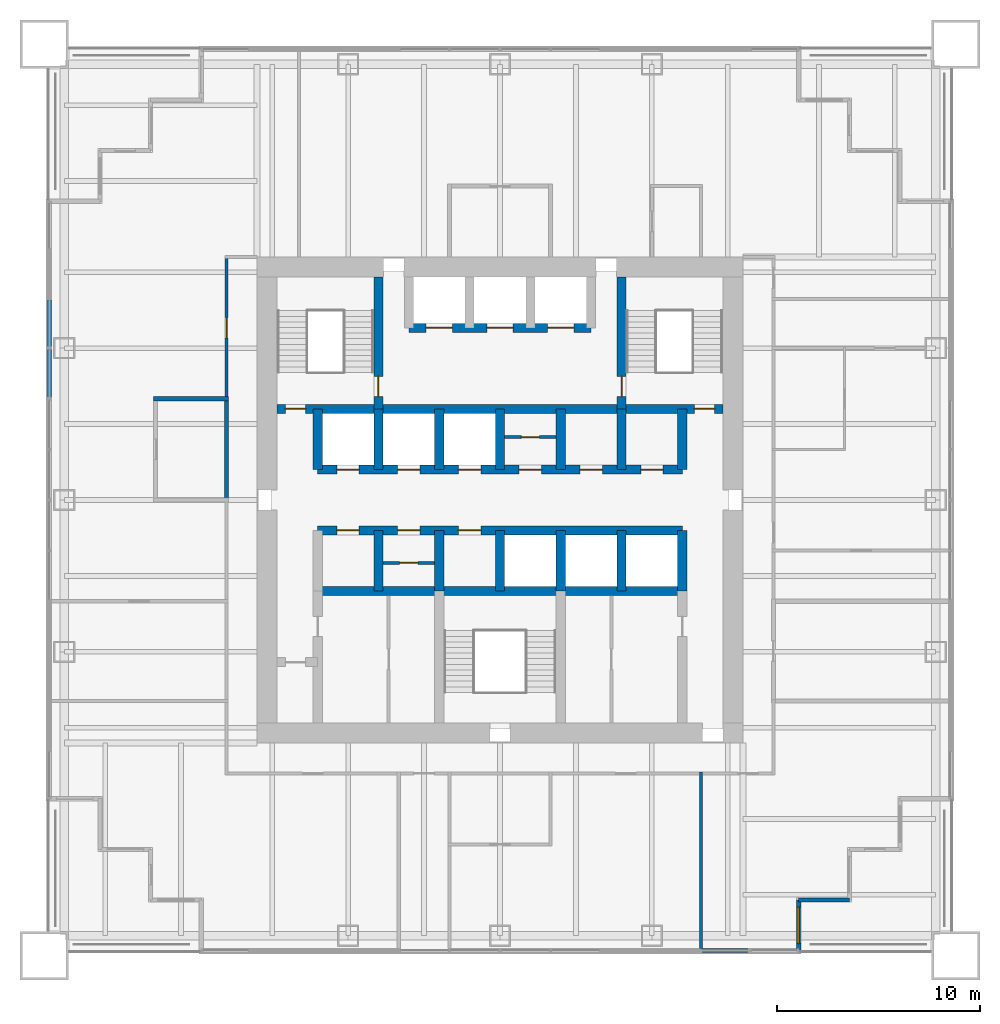
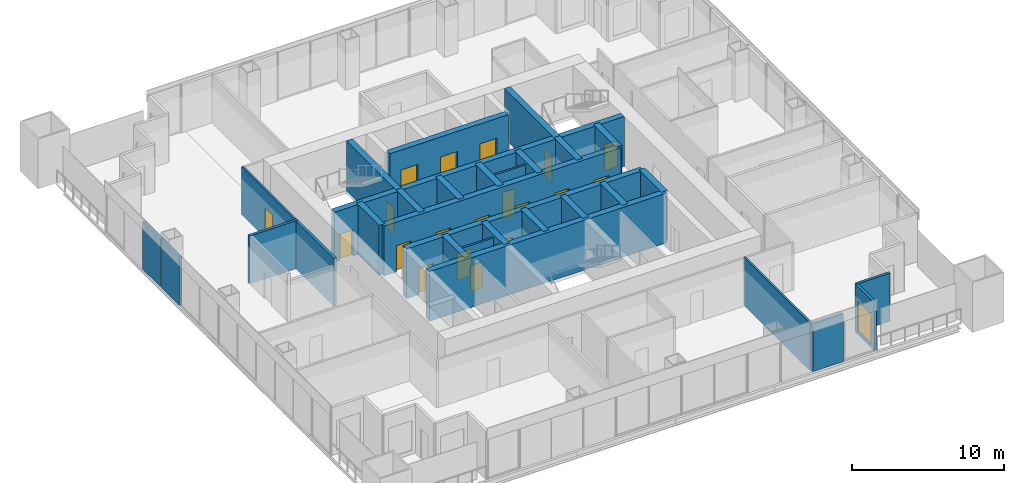
# One storey, part 9 of 13: 31 walls, 19 doors, 1 window, 20 openings.
"""IFC4 building model written with IfcOpenShell, lengths in metres."""

from ifc_helpers import new_model, si_unit, direction, frame, frame_2d, origin, place, context, subcontext, project, spatial, rectangle, extrude, material, layer, layer_set, type_object, element, fill, save


model = new_model("IFC4")

# Units and contexts
model_context = context("Model", 3, precision=1e-05, world=origin(), true_north=direction((0.0, 1.0)))
body_context = subcontext(model_context, "Body", "Model", "MODEL_VIEW")
ifc_project = project(units=[si_unit("LENGTHUNIT", "METRE"), si_unit("AREAUNIT", "SQUARE_METRE"), si_unit("VOLUMEUNIT", "CUBIC_METRE"), si_unit("PLANEANGLEUNIT", "RADIAN"), si_unit("MASSUNIT", "GRAM", prefix="KILO")], contexts=[model_context])

# Site, building, storey
site_placement = place(None, origin())
site = spatial("IfcSite", under=ifc_project, at=site_placement, CompositionType="ELEMENT")
building_placement = place(site_placement, origin())
building = spatial("IfcBuilding", under=site, at=building_placement, Name="Tarangal Relay Tower", CompositionType="ELEMENT")
storey_placement = place(building_placement, frame((0.0, 0.0, 201.89990234375)))
storey = spatial("IfcBuildingStorey", under=building, at=storey_placement, Name="L42", CompositionType="ELEMENT", Elevation=201.89990234375)

# Walls
ifc_material_1 = material(Name="Two layers gypsum board each side on twin steel studs, mineral wool", Category="steel")
ifc_layer_1 = layer(ifc_material_1, 0.199951171875)
ifc_layer_set_1 = layer_set([ifc_layer_1], Name="Acoustic partition 200")
wall_type_1 = type_object("IfcWallType", Name="Acoustic partition 200", PredefinedType="PARTITIONING", material=ifc_layer_set_1)
wall_1_placement = place(storey_placement, frame((-17.10009765625, 5.0, 0.0), z_axis=(0.0, 0.0, 1.0), x_axis=(1.0, 0.0, 0.0)))
element("IfcWall", 1, at=wall_1_placement, inside=storey, type_object=wall_type_1, Name="Partition PT2 L42", PredefinedType="PARTITIONING", context=body_context, shape_type="SweptSolid", body=[
    extrude(rectangle(XDim=3.7001953125, YDim=0.199951171875, at=frame_2d((1.85009765625, 0.0))), origin(), (0.0, 0.0, 1.0), 3.85009765625),
])
wall_2_placement = place(storey_placement, frame((-13.5, -0.10009765625, 0.0), z_axis=(0.0, 0.0, 1.0), x_axis=(0.0, 1.0, 0.0)))
element("IfcWall", 2, at=wall_2_placement, inside=storey, type_object=wall_type_1, Name="Partition PT2 L42", PredefinedType="PARTITIONING", context=body_context, shape_type="SweptSolid", body=[
    extrude(rectangle(XDim=5.2001953125, YDim=0.199951171875, at=frame_2d((2.60009765625, 0.0))), origin(), (0.0, 0.0, 1.0), 3.85009765625),
])

# Wall, openings, doors
ifc_material_2 = material(Name="Concrete fc' 60 MPa", Category="concrete")
ifc_layer_2 = layer(ifc_material_2, 0.449951171875)
ifc_layer_set_2 = layer_set([ifc_layer_2], Name="Core inner wall 450")
wall_type_2 = type_object("IfcWallType", Name="Core inner wall 450", PredefinedType="SHEAR", material=ifc_layer_set_2)
wall_3_placement = place(storey_placement, frame((-11.0, 4.5, 0.0), z_axis=(0.0, 0.0, 1.0), x_axis=(1.0, 0.0, 0.0)))
wall_3 = element("IfcWall", 3, at=wall_3_placement, inside=storey, type_object=wall_type_2, Name="Core wall Y45 L42", PredefinedType="SHEAR", context=body_context, shape_type="SweptSolid", body=[
    extrude(rectangle(XDim=22.0, YDim=0.449951171875, at=frame_2d((11.0, 0.0))), origin(), (0.0, 0.0, 1.0), 4.0),
])
opening_1_placement = place(wall_3_placement, frame((0.39990234375, 0.0, 0.0)))
opening_1 = element("IfcOpeningElement", 4, at=opening_1_placement, cuts=wall_3, Name="Opening FD1", PredefinedType="OPENING", context=body_context, shape_type="SweptSolid", body=[
    extrude(rectangle(XDim=1.0, YDim=2.10009765625, at=frame_2d((0.5, 1.050048828125))), frame((0.0, 0.23486328125, 0.0), z_axis=(0.0, -1.0, 0.0), x_axis=(1.0, 0.0, 0.0)), (0.0, 0.0, 1.0), 0.469970703125),
])
opening_2_placement = place(wall_3_placement, frame((20.60009765625, 0.0, 0.0)))
opening_2 = element("IfcOpeningElement", 5, at=opening_2_placement, cuts=wall_3, Name="Opening FD1", PredefinedType="OPENING", context=body_context, shape_type="SweptSolid", body=[
    extrude(rectangle(XDim=1.0, YDim=2.10009765625, at=frame_2d((0.5, 1.050048828125))), frame((0.0, 0.23486328125, 0.0), z_axis=(0.0, -1.0, 0.0), x_axis=(1.0, 0.0, 0.0)), (0.0, 0.0, 1.0), 0.469970703125),
])
ifc_material_3 = material(Name="Steel door with hardwood frame", Category="steel")
door_type_1 = type_object("IfcDoorType", Name="Fire door 1000 x 2100", OperationType="SINGLE_SWING_LEFT", PredefinedType="DOOR", material=ifc_material_3)
door_1_placement = place(opening_1_placement, origin())
door_1 = element("IfcDoor", 6, at=door_1_placement, inside=storey, type_object=door_type_1, Name="Stair ST-A door from corridor L42", OperationType="SINGLE_SWING_LEFT", OverallHeight=2.10009765625, OverallWidth=1.0, PredefinedType="DOOR", context=body_context, shape_type="SweptSolid", body=[
    extrude(rectangle(XDim=1.0, YDim=2.10009765625, at=frame_2d((0.5, 1.050048828125))), frame((0.0, 0.02490234375, 0.0), z_axis=(0.0, -1.0, 0.0), x_axis=(1.0, 0.0, 0.0)), (0.0, 0.0, 1.0), 0.050048828125),
])
fill(opening_1, door_1)
door_2_placement = place(opening_2_placement, origin())
door_2 = element("IfcDoor", 7, at=door_2_placement, inside=storey, type_object=door_type_1, Name="Stair ST-B door from corridor L42", OperationType="SINGLE_SWING_LEFT", OverallHeight=2.10009765625, OverallWidth=1.0, PredefinedType="DOOR", context=body_context, shape_type="SweptSolid", body=[
    extrude(rectangle(XDim=1.0, YDim=2.10009765625, at=frame_2d((0.5, 1.050048828125))), frame((0.0, 0.02490234375, 0.0), z_axis=(0.0, -1.0, 0.0), x_axis=(1.0, 0.0, 0.0)), (0.0, 0.0, 1.0), 0.050048828125),
])
fill(opening_2, door_2)

wall_4_placement = place(storey_placement, frame((-9.0, 1.5, 0.0), z_axis=(0.0, 0.0, 1.0), x_axis=(1.0, 0.0, 0.0)))
wall_4 = element("IfcWall", 8, at=wall_4_placement, inside=storey, type_object=wall_type_2, Name="Core wall Y15 L42", PredefinedType="SHEAR", context=body_context, shape_type="SweptSolid", body=[
    extrude(rectangle(XDim=18.0, YDim=0.449951171875, at=frame_2d((9.0, 0.0))), origin(), (0.0, 0.0, 1.0), 4.0),
])
opening_3_placement = place(wall_4_placement, frame((0.949951171875, 0.0, 0.0)))
opening_3 = element("IfcOpeningElement", 9, at=opening_3_placement, cuts=wall_4, Name="Opening LD1", PredefinedType="OPENING", context=body_context, shape_type="SweptSolid", body=[
    extrude(rectangle(XDim=1.10009765625, YDim=2.10009765625, at=frame_2d((0.550048828125, 1.050048828125))), frame((0.0, 0.23486328125, 0.0), z_axis=(0.0, -1.0, 0.0), x_axis=(1.0, 0.0, 0.0)), (0.0, 0.0, 1.0), 0.469970703125),
])
opening_4_placement = place(wall_4_placement, frame((3.949951171875, 0.0, 0.0)))
opening_4 = element("IfcOpeningElement", 10, at=opening_4_placement, cuts=wall_4, Name="Opening LD1", PredefinedType="OPENING", context=body_context, shape_type="SweptSolid", body=[
    extrude(rectangle(XDim=1.10009765625, YDim=2.10009765625, at=frame_2d((0.550048828125, 1.050048828125))), frame((0.0, 0.23486328125, 0.0), z_axis=(0.0, -1.0, 0.0), x_axis=(1.0, 0.0, 0.0)), (0.0, 0.0, 1.0), 0.469970703125),
])
opening_5_placement = place(wall_4_placement, frame((6.949951171875, 0.0, 0.0)))
opening_5 = element("IfcOpeningElement", 11, at=opening_5_placement, cuts=wall_4, Name="Opening LD1", PredefinedType="OPENING", context=body_context, shape_type="SweptSolid", body=[
    extrude(rectangle(XDim=1.10009765625, YDim=2.10009765625, at=frame_2d((0.550048828125, 1.050048828125))), frame((0.0, 0.23486328125, 0.0), z_axis=(0.0, -1.0, 0.0), x_axis=(1.0, 0.0, 0.0)), (0.0, 0.0, 1.0), 0.469970703125),
])
opening_6_placement = place(wall_4_placement, frame((9.949951171875, 0.0, 0.0)))
opening_6 = element("IfcOpeningElement", 12, at=opening_6_placement, cuts=wall_4, Name="Opening D4", PredefinedType="OPENING", context=body_context, shape_type="SweptSolid", body=[
    extrude(rectangle(XDim=1.10009765625, YDim=2.10009765625, at=frame_2d((0.550048828125, 1.050048828125))), frame((0.0, 0.23486328125, 0.0), z_axis=(0.0, -1.0, 0.0), x_axis=(1.0, 0.0, 0.0)), (0.0, 0.0, 1.0), 0.469970703125),
])
opening_7_placement = place(wall_4_placement, frame((12.949951171875, 0.0, 0.0)))
opening_7 = element("IfcOpeningElement", 13, at=opening_7_placement, cuts=wall_4, Name="Opening D4", PredefinedType="OPENING", context=body_context, shape_type="SweptSolid", body=[
    extrude(rectangle(XDim=1.10009765625, YDim=2.10009765625, at=frame_2d((0.550048828125, 1.050048828125))), frame((0.0, 0.23486328125, 0.0), z_axis=(0.0, -1.0, 0.0), x_axis=(1.0, 0.0, 0.0)), (0.0, 0.0, 1.0), 0.469970703125),
])
opening_8_placement = place(wall_4_placement, frame((15.949951171875, 0.0, 0.0)))
opening_8 = element("IfcOpeningElement", 14, at=opening_8_placement, cuts=wall_4, Name="Opening D4", PredefinedType="OPENING", context=body_context, shape_type="SweptSolid", body=[
    extrude(rectangle(XDim=1.10009765625, YDim=2.10009765625, at=frame_2d((0.550048828125, 1.050048828125))), frame((0.0, 0.23486328125, 0.0), z_axis=(0.0, -1.0, 0.0), x_axis=(1.0, 0.0, 0.0)), (0.0, 0.0, 1.0), 0.469970703125),
])
door_type_2 = type_object("IfcDoorType", Name="Core room door 1100 x 2100", OperationType="SINGLE_SWING_RIGHT", PredefinedType="DOOR", material=ifc_material_3)
door_3_placement = place(opening_6_placement, origin())
door_3 = element("IfcDoor", 15, at=door_3_placement, inside=storey, type_object=door_type_2, Name="Door D4 to it room L42-T1", OperationType="SINGLE_SWING_RIGHT", OverallHeight=2.10009765625, OverallWidth=1.10009765625, PredefinedType="DOOR", context=body_context, shape_type="SweptSolid", body=[
    extrude(rectangle(XDim=1.10009765625, YDim=2.10009765625, at=frame_2d((0.550048828125, 1.050048828125))), frame((0.0, 0.02490234375, 0.0), z_axis=(0.0, -1.0, 0.0), x_axis=(1.0, 0.0, 0.0)), (0.0, 0.0, 1.0), 0.050048828125),
])
fill(opening_6, door_3)
door_4_placement = place(opening_7_placement, origin())
door_4 = element("IfcDoor", 16, at=door_4_placement, inside=storey, type_object=door_type_2, Name="Door D4 to cleaner's store L42-T2", OperationType="SINGLE_SWING_RIGHT", OverallHeight=2.10009765625, OverallWidth=1.10009765625, PredefinedType="DOOR", context=body_context, shape_type="SweptSolid", body=[
    extrude(rectangle(XDim=1.10009765625, YDim=2.10009765625, at=frame_2d((0.550048828125, 1.050048828125))), frame((0.0, 0.02490234375, 0.0), z_axis=(0.0, -1.0, 0.0), x_axis=(1.0, 0.0, 0.0)), (0.0, 0.0, 1.0), 0.050048828125),
])
fill(opening_7, door_4)
door_5_placement = place(opening_8_placement, origin())
door_5 = element("IfcDoor", 17, at=door_5_placement, inside=storey, type_object=door_type_2, Name="Door D4 to staff wc L42-T3", OperationType="SINGLE_SWING_RIGHT", OverallHeight=2.10009765625, OverallWidth=1.10009765625, PredefinedType="DOOR", context=body_context, shape_type="SweptSolid", body=[
    extrude(rectangle(XDim=1.10009765625, YDim=2.10009765625, at=frame_2d((0.550048828125, 1.050048828125))), frame((0.0, 0.02490234375, 0.0), z_axis=(0.0, -1.0, 0.0), x_axis=(1.0, 0.0, 0.0)), (0.0, 0.0, 1.0), 0.050048828125),
])
fill(opening_8, door_5)
door_type_3 = type_object("IfcDoorType", Name="Lift landing door 1100 x 2100", OperationType="SLIDING_TO_LEFT", PredefinedType="DOOR", material=ifc_material_3)
door_6_placement = place(opening_3_placement, origin())
door_6 = element("IfcDoor", 18, at=door_6_placement, inside=storey, type_object=door_type_3, Name="Lift OL1 landing door L42", OperationType="SLIDING_TO_LEFT", OverallHeight=2.10009765625, OverallWidth=1.10009765625, PredefinedType="DOOR", context=body_context, shape_type="SweptSolid", body=[
    extrude(rectangle(XDim=1.10009765625, YDim=2.10009765625, at=frame_2d((0.550048828125, 1.050048828125))), frame((0.0, 0.02490234375, 0.0), z_axis=(0.0, -1.0, 0.0), x_axis=(1.0, 0.0, 0.0)), (0.0, 0.0, 1.0), 0.050048828125),
])
fill(opening_3, door_6)
door_7_placement = place(opening_4_placement, origin())
door_7 = element("IfcDoor", 19, at=door_7_placement, inside=storey, type_object=door_type_3, Name="Lift OL2 landing door L42", OperationType="SLIDING_TO_LEFT", OverallHeight=2.10009765625, OverallWidth=1.10009765625, PredefinedType="DOOR", context=body_context, shape_type="SweptSolid", body=[
    extrude(rectangle(XDim=1.10009765625, YDim=2.10009765625, at=frame_2d((0.550048828125, 1.050048828125))), frame((0.0, 0.02490234375, 0.0), z_axis=(0.0, -1.0, 0.0), x_axis=(1.0, 0.0, 0.0)), (0.0, 0.0, 1.0), 0.050048828125),
])
fill(opening_4, door_7)
door_8_placement = place(opening_5_placement, origin())
door_8 = element("IfcDoor", 20, at=door_8_placement, inside=storey, type_object=door_type_3, Name="Lift OL3 landing door L42", OperationType="SLIDING_TO_LEFT", OverallHeight=2.10009765625, OverallWidth=1.10009765625, PredefinedType="DOOR", context=body_context, shape_type="SweptSolid", body=[
    extrude(rectangle(XDim=1.10009765625, YDim=2.10009765625, at=frame_2d((0.550048828125, 1.050048828125))), frame((0.0, 0.02490234375, 0.0), z_axis=(0.0, -1.0, 0.0), x_axis=(1.0, 0.0, 0.0)), (0.0, 0.0, 1.0), 0.050048828125),
])
fill(opening_5, door_8)

wall_5_placement = place(storey_placement, frame((-9.0, -1.5, 0.0), z_axis=(0.0, 0.0, 1.0), x_axis=(1.0, 0.0, 0.0)))
wall_5 = element("IfcWall", 21, at=wall_5_placement, inside=storey, type_object=wall_type_2, Name="Core wall YM15 L42", PredefinedType="SHEAR", context=body_context, shape_type="SweptSolid", body=[
    extrude(rectangle(XDim=18.0, YDim=0.449951171875, at=frame_2d((9.0, 0.0))), origin(), (0.0, 0.0, 1.0), 4.0),
])
opening_9_placement = place(wall_5_placement, frame((0.949951171875, 0.0, 0.0)))
opening_9 = element("IfcOpeningElement", 22, at=opening_9_placement, cuts=wall_5, Name="Opening D4", PredefinedType="OPENING", context=body_context, shape_type="SweptSolid", body=[
    extrude(rectangle(XDim=1.10009765625, YDim=2.10009765625, at=frame_2d((0.550048828125, 1.050048828125))), frame((0.0, 0.23486328125, 0.0), z_axis=(0.0, -1.0, 0.0), x_axis=(1.0, 0.0, 0.0)), (0.0, 0.0, 1.0), 0.469970703125),
])
opening_10_placement = place(wall_5_placement, frame((3.949951171875, 0.0, 0.0)))
opening_10 = element("IfcOpeningElement", 23, at=opening_10_placement, cuts=wall_5, Name="Opening D4", PredefinedType="OPENING", context=body_context, shape_type="SweptSolid", body=[
    extrude(rectangle(XDim=1.10009765625, YDim=2.10009765625, at=frame_2d((0.550048828125, 1.050048828125))), frame((0.0, 0.23486328125, 0.0), z_axis=(0.0, -1.0, 0.0), x_axis=(1.0, 0.0, 0.0)), (0.0, 0.0, 1.0), 0.469970703125),
])
opening_11_placement = place(wall_5_placement, frame((6.949951171875, 0.0, 0.0)))
opening_11 = element("IfcOpeningElement", 24, at=opening_11_placement, cuts=wall_5, Name="Opening D4", PredefinedType="OPENING", context=body_context, shape_type="SweptSolid", body=[
    extrude(rectangle(XDim=1.10009765625, YDim=2.10009765625, at=frame_2d((0.550048828125, 1.050048828125))), frame((0.0, 0.23486328125, 0.0), z_axis=(0.0, -1.0, 0.0), x_axis=(1.0, 0.0, 0.0)), (0.0, 0.0, 1.0), 0.469970703125),
])
door_9_placement = place(opening_9_placement, origin())
door_9 = element("IfcDoor", 25, at=door_9_placement, inside=storey, type_object=door_type_2, Name="Door D4 to staff pantry L42-S1", OperationType="SINGLE_SWING_RIGHT", OverallHeight=2.10009765625, OverallWidth=1.10009765625, PredefinedType="DOOR", context=body_context, shape_type="SweptSolid", body=[
    extrude(rectangle(XDim=1.10009765625, YDim=2.10009765625, at=frame_2d((0.550048828125, 1.050048828125))), frame((0.0, 0.02490234375, 0.0), z_axis=(0.0, -1.0, 0.0), x_axis=(1.0, 0.0, 0.0)), (0.0, 0.0, 1.0), 0.050048828125),
])
fill(opening_9, door_9)
door_10_placement = place(opening_10_placement, origin())
door_10 = element("IfcDoor", 26, at=door_10_placement, inside=storey, type_object=door_type_2, Name="Door D4 to it room L42-S2", OperationType="SINGLE_SWING_RIGHT", OverallHeight=2.10009765625, OverallWidth=1.10009765625, PredefinedType="DOOR", context=body_context, shape_type="SweptSolid", body=[
    extrude(rectangle(XDim=1.10009765625, YDim=2.10009765625, at=frame_2d((0.550048828125, 1.050048828125))), frame((0.0, 0.02490234375, 0.0), z_axis=(0.0, -1.0, 0.0), x_axis=(1.0, 0.0, 0.0)), (0.0, 0.0, 1.0), 0.050048828125),
])
fill(opening_10, door_10)
door_11_placement = place(opening_11_placement, origin())
door_11 = element("IfcDoor", 27, at=door_11_placement, inside=storey, type_object=door_type_2, Name="Door D4 to cleaner's store L42-S3", OperationType="SINGLE_SWING_RIGHT", OverallHeight=2.10009765625, OverallWidth=1.10009765625, PredefinedType="DOOR", context=body_context, shape_type="SweptSolid", body=[
    extrude(rectangle(XDim=1.10009765625, YDim=2.10009765625, at=frame_2d((0.550048828125, 1.050048828125))), frame((0.0, 0.02490234375, 0.0), z_axis=(0.0, -1.0, 0.0), x_axis=(1.0, 0.0, 0.0)), (0.0, 0.0, 1.0), 0.050048828125),
])
fill(opening_11, door_11)

# Wall
wall_6_placement = place(storey_placement, frame((-9.0, -4.5, 0.0), z_axis=(0.0, 0.0, 1.0), x_axis=(1.0, 0.0, 0.0)))
element("IfcWall", 28, at=wall_6_placement, inside=storey, type_object=wall_type_2, Name="Core wall YM45 L42", PredefinedType="SHEAR", context=body_context, shape_type="SweptSolid", body=[
    extrude(rectangle(XDim=18.0, YDim=0.449951171875, at=frame_2d((9.0, 0.0))), origin(), (0.0, 0.0, 1.0), 4.0),
])

# Wall, openings, doors
wall_7_placement = place(storey_placement, frame((-4.5, 8.5, 0.0), z_axis=(0.0, 0.0, 1.0), x_axis=(1.0, 0.0, 0.0)))
wall_7 = element("IfcWall", 29, at=wall_7_placement, inside=storey, type_object=wall_type_2, Name="Core wall Y85 L42", PredefinedType="SHEAR", context=body_context, shape_type="SweptSolid", body=[
    extrude(rectangle(XDim=9.0, YDim=0.449951171875, at=frame_2d((4.5, 0.0))), origin(), (0.0, 0.0, 1.0), 4.0),
])
opening_12_placement = place(wall_7_placement, frame((0.85009765625, 0.0, 0.0)))
opening_12 = element("IfcOpeningElement", 30, at=opening_12_placement, cuts=wall_7, Name="Opening LD2", PredefinedType="OPENING", context=body_context, shape_type="SweptSolid", body=[
    extrude(rectangle(XDim=1.300048828125, YDim=2.39990234375, at=frame_2d((0.64990234375, 1.199951171875))), frame((0.0, 0.23486328125, 0.0), z_axis=(0.0, -1.0, 0.0), x_axis=(1.0, 0.0, 0.0)), (0.0, 0.0, 1.0), 0.469970703125),
])
opening_13_placement = place(wall_7_placement, frame((6.85009765625, 0.0, 0.0)))
opening_13 = element("IfcOpeningElement", 31, at=opening_13_placement, cuts=wall_7, Name="Opening LD2", PredefinedType="OPENING", context=body_context, shape_type="SweptSolid", body=[
    extrude(rectangle(XDim=1.300048828125, YDim=2.39990234375, at=frame_2d((0.64990234375, 1.199951171875))), frame((0.0, 0.23486328125, 0.0), z_axis=(0.0, -1.0, 0.0), x_axis=(1.0, 0.0, 0.0)), (0.0, 0.0, 1.0), 0.469970703125),
])
opening_14_placement = place(wall_7_placement, frame((3.85009765625, 0.0, 0.0)))
opening_14 = element("IfcOpeningElement", 32, at=opening_14_placement, cuts=wall_7, Name="Opening LD2", PredefinedType="OPENING", context=body_context, shape_type="SweptSolid", body=[
    extrude(rectangle(XDim=1.300048828125, YDim=2.39990234375, at=frame_2d((0.64990234375, 1.199951171875))), frame((0.0, 0.23486328125, 0.0), z_axis=(0.0, -1.0, 0.0), x_axis=(1.0, 0.0, 0.0)), (0.0, 0.0, 1.0), 0.469970703125),
])
door_type_4 = type_object("IfcDoorType", Name="Lift landing door 1300 x 2400", OperationType="SLIDING_TO_LEFT", PredefinedType="DOOR", material=ifc_material_3)
door_12_placement = place(opening_12_placement, origin())
door_12 = element("IfcDoor", 33, at=door_12_placement, inside=storey, type_object=door_type_4, Name="Lift FF1 landing door L42", OperationType="SLIDING_TO_LEFT", OverallHeight=2.39990234375, OverallWidth=1.300048828125, PredefinedType="DOOR", context=body_context, shape_type="SweptSolid", body=[
    extrude(rectangle(XDim=1.300048828125, YDim=2.39990234375, at=frame_2d((0.64990234375, 1.199951171875))), frame((0.0, 0.02490234375, 0.0), z_axis=(0.0, -1.0, 0.0), x_axis=(1.0, 0.0, 0.0)), (0.0, 0.0, 1.0), 0.050048828125),
])
fill(opening_12, door_12)
door_13_placement = place(opening_13_placement, origin())
door_13 = element("IfcDoor", 34, at=door_13_placement, inside=storey, type_object=door_type_4, Name="Lift FF2 landing door L42", OperationType="SLIDING_TO_LEFT", OverallHeight=2.39990234375, OverallWidth=1.300048828125, PredefinedType="DOOR", context=body_context, shape_type="SweptSolid", body=[
    extrude(rectangle(XDim=1.300048828125, YDim=2.39990234375, at=frame_2d((0.64990234375, 1.199951171875))), frame((0.0, 0.02490234375, 0.0), z_axis=(0.0, -1.0, 0.0), x_axis=(1.0, 0.0, 0.0)), (0.0, 0.0, 1.0), 0.050048828125),
])
fill(opening_13, door_13)
door_14_placement = place(opening_14_placement, origin())
door_14 = element("IfcDoor", 35, at=door_14_placement, inside=storey, type_object=door_type_4, Name="Lift SV1 landing door L42", OperationType="SLIDING_TO_LEFT", OverallHeight=2.39990234375, OverallWidth=1.300048828125, PredefinedType="DOOR", context=body_context, shape_type="SweptSolid", body=[
    extrude(rectangle(XDim=1.300048828125, YDim=2.39990234375, at=frame_2d((0.64990234375, 1.199951171875))), frame((0.0, 0.02490234375, 0.0), z_axis=(0.0, -1.0, 0.0), x_axis=(1.0, 0.0, 0.0)), (0.0, 0.0, 1.0), 0.050048828125),
])
fill(opening_14, door_14)

# Walls
for number, where, z_axis, x_axis, name in (
    (36, (-9.0, 1.5, 0.0), (0.0, 0.0, 1.0), (0.0, 1.0, 0.0), "Core wall XM9N L42"),
    (37, (9.0, 1.5, 0.0), (0.0, 0.0, 1.0), (0.0, 1.0, 0.0), "Core wall X9N L42"),
    (38, (9.0, -4.5, 0.0), (0.0, 0.0, 1.0), (0.0, 1.0, 0.0), "Core wall X9S L42"),
    (39, (-6.0, 1.5, 0.0), (0.0, 0.0, 1.0), (0.0, 1.0, 0.0), "Core wall XM6N L42"),
    (40, (-3.0, 1.5, 0.0), (0.0, 0.0, 1.0), (0.0, 1.0, 0.0), "Core wall XM3N L42"),
    (41, (0.0, 1.5, 0.0), (0.0, 0.0, 1.0), (0.0, 1.0, 0.0), "Core wall X0N L42"),
    (42, (3.0, 1.5, 0.0), (0.0, 0.0, 1.0), (0.0, 1.0, 0.0), "Core wall X3N L42"),
    (43, (6.0, 1.5, 0.0), (0.0, 0.0, 1.0), (0.0, 1.0, 0.0), "Core wall X6N L42"),
    (44, (-6.0, -4.5, 0.0), (0.0, 0.0, 1.0), (0.0, 1.0, 0.0), "Core wall XM6S L42"),
    (45, (-3.0, -4.5, 0.0), (0.0, 0.0, 1.0), (0.0, 1.0, 0.0), "Core wall XM3S L42"),
    (46, (0.0, -4.5, 0.0), (0.0, 0.0, 1.0), (0.0, 1.0, 0.0), "Core wall X0S L42"),
    (47, (3.0, -4.5, 0.0), (0.0, 0.0, 1.0), (0.0, 1.0, 0.0), "Core wall X3S L42"),
    (48, (6.0, -4.5, 0.0), (0.0, 0.0, 1.0), (0.0, 1.0, 0.0), "Core wall X6S L42"),
):
    element("IfcWall", number, at=place(storey_placement, frame(where, z_axis=z_axis, x_axis=x_axis)), inside=storey, type_object=wall_type_2, Name=name, PredefinedType="SHEAR", context=body_context, shape_type="SweptSolid", body=[
        extrude(rectangle(XDim=3.0, YDim=0.449951171875, at=frame_2d((1.5, 0.0))), origin(), (0.0, 0.0, 1.0), 4.0),
    ])

# Wall, opening, door
wall_8_placement = place(storey_placement, frame((-6.0, 4.5, 0.0), z_axis=(0.0, 0.0, 1.0), x_axis=(0.0, 1.0, 0.0)))
wall_8 = element("IfcWall", 49, at=wall_8_placement, inside=storey, type_object=wall_type_2, Name="Core wall XM6 L42", PredefinedType="SHEAR", context=body_context, shape_type="SweptSolid", body=[
    extrude(rectangle(XDim=6.5, YDim=0.449951171875, at=frame_2d((3.25, 0.0))), origin(), (0.0, 0.0, 1.0), 4.0),
])
opening_15_placement = place(wall_8_placement, frame((0.60009765625, 0.0, 0.0)))
opening_15 = element("IfcOpeningElement", 50, at=opening_15_placement, cuts=wall_8, Name="Opening FD1", PredefinedType="OPENING", context=body_context, shape_type="SweptSolid", body=[
    extrude(rectangle(XDim=1.0, YDim=2.10009765625, at=frame_2d((0.5, 1.050048828125))), frame((0.0, 0.23486328125, 0.0), z_axis=(0.0, -1.0, 0.0), x_axis=(1.0, 0.0, 0.0)), (0.0, 0.0, 1.0), 0.469970703125),
])
door_15_placement = place(opening_15_placement, origin())
door_15 = element("IfcDoor", 51, at=door_15_placement, inside=storey, type_object=door_type_1, Name="Stair ST-A door from fire-fighting lobby L42", OperationType="SINGLE_SWING_LEFT", OverallHeight=2.10009765625, OverallWidth=1.0, PredefinedType="DOOR", context=body_context, shape_type="SweptSolid", body=[
    extrude(rectangle(XDim=1.0, YDim=2.10009765625, at=frame_2d((0.5, 1.050048828125))), frame((0.0, 0.02490234375, 0.0), z_axis=(0.0, -1.0, 0.0), x_axis=(1.0, 0.0, 0.0)), (0.0, 0.0, 1.0), 0.050048828125),
])
fill(opening_15, door_15)

wall_9_placement = place(storey_placement, frame((6.0, 4.5, 0.0), z_axis=(0.0, 0.0, 1.0), x_axis=(0.0, 1.0, 0.0)))
wall_9 = element("IfcWall", 52, at=wall_9_placement, inside=storey, type_object=wall_type_2, Name="Core wall X6 L42", PredefinedType="SHEAR", context=body_context, shape_type="SweptSolid", body=[
    extrude(rectangle(XDim=6.5, YDim=0.449951171875, at=frame_2d((3.25, 0.0))), origin(), (0.0, 0.0, 1.0), 4.0),
])
opening_16_placement = place(wall_9_placement, frame((0.60009765625, 0.0, 0.0)))
opening_16 = element("IfcOpeningElement", 53, at=opening_16_placement, cuts=wall_9, Name="Opening FD1", PredefinedType="OPENING", context=body_context, shape_type="SweptSolid", body=[
    extrude(rectangle(XDim=1.0, YDim=2.10009765625, at=frame_2d((0.5, 1.050048828125))), frame((0.0, 0.23486328125, 0.0), z_axis=(0.0, -1.0, 0.0), x_axis=(1.0, 0.0, 0.0)), (0.0, 0.0, 1.0), 0.469970703125),
])
door_16_placement = place(opening_16_placement, origin())
door_16 = element("IfcDoor", 54, at=door_16_placement, inside=storey, type_object=door_type_1, Name="Stair ST-B door from fire-fighting lobby L42", OperationType="SINGLE_SWING_LEFT", OverallHeight=2.10009765625, OverallWidth=1.0, PredefinedType="DOOR", context=body_context, shape_type="SweptSolid", body=[
    extrude(rectangle(XDim=1.0, YDim=2.10009765625, at=frame_2d((0.5, 1.050048828125))), frame((0.0, 0.02490234375, 0.0), z_axis=(0.0, -1.0, 0.0), x_axis=(1.0, 0.0, 0.0)), (0.0, 0.0, 1.0), 0.050048828125),
])
fill(opening_16, door_16)

# Wall
ifc_material_4 = material(Name="Black metal clad insulated wall", Category="steel")
ifc_layer_3 = layer(ifc_material_4, 0.199951171875)
ifc_layer_set_3 = layer_set([ifc_layer_3], Name="Corner wall metal clad 200")
wall_type_3 = type_object("IfcWallType", Name="Corner wall metal clad 200", PredefinedType="SOLIDWALL", material=ifc_layer_set_3)
wall_10_placement = place(storey_placement, frame((17.25, -19.75, 0.0), z_axis=(0.0, 0.0, 1.0), x_axis=(-1.0, 0.0, 0.0)))
element("IfcWall", 55, at=wall_10_placement, inside=storey, type_object=wall_type_3, Name="Facade wall E facade L42", PredefinedType="SOLIDWALL", context=body_context, shape_type="SweptSolid", body=[
    extrude(rectangle(XDim=2.5, YDim=0.199951171875, at=frame_2d((1.25, 0.0))), origin(), (0.0, 0.0, 1.0), 3.85009765625),
])

# Wall, opening, window
wall_11_placement = place(storey_placement, frame((14.75, -19.75, 0.0), z_axis=(0.0, 0.0, 1.0), x_axis=(0.0, -1.0, 0.0)))
wall_11 = element("IfcWall", 56, at=wall_11_placement, inside=storey, type_object=wall_type_3, Name="Facade wall E facade L42", PredefinedType="SOLIDWALL", context=body_context, shape_type="SweptSolid", body=[
    extrude(rectangle(XDim=2.5, YDim=0.199951171875, at=frame_2d((1.25, 0.0))), origin(), (0.0, 0.0, 1.0), 3.85009765625),
])
opening_17_placement = place(wall_11_placement, frame((0.35009765625, 0.0, 0.300048828125)))
opening_17 = element("IfcOpeningElement", 57, at=opening_17_placement, cuts=wall_11, Name="Opening WN2", PredefinedType="OPENING", context=body_context, shape_type="SweptSolid", body=[
    extrude(rectangle(XDim=1.800048828125, YDim=2.39990234375, at=frame_2d((0.89990234375, 1.199951171875))), frame((0.0, 0.10986328125, 0.0), z_axis=(0.0, -1.0, 0.0), x_axis=(1.0, 0.0, 0.0)), (0.0, 0.0, 1.0), 0.219970703125),
])
ifc_material_5 = material(Name="Dark tinted double glazing in black aluminium frame", Category="aluminium")
window_type = type_object("IfcWindowType", Name="Corner window 1800 x 2400", PartitioningType="SINGLE_PANEL", PredefinedType="WINDOW", material=ifc_material_5)
window_placement = place(opening_17_placement, origin())
window = element("IfcWindow", 58, at=window_placement, inside=storey, type_object=window_type, Name="Corner window WN2 E facade L42", OverallHeight=2.39990234375, OverallWidth=1.800048828125, PartitioningType="SINGLE_PANEL", PredefinedType="WINDOW", context=body_context, shape_type="SweptSolid", body=[
    extrude(rectangle(XDim=1.800048828125, YDim=2.39990234375, at=frame_2d((0.89990234375, 1.199951171875))), frame((0.0, 0.030029296875, 0.0), z_axis=(0.0, -1.0, 0.0), x_axis=(1.0, 0.0, 0.0)), (0.0, 0.0, 1.0), 0.06005859375),
])
fill(opening_17, window)

# Walls
ifc_layer_4 = layer(ifc_material_4, 0.199951171875)
ifc_layer_set_4 = layer_set([ifc_layer_4], Name="Facade infill wall metal clad 200")
wall_type_4 = type_object("IfcWallType", Name="Facade infill wall metal clad 200", PredefinedType="SOLIDWALL", material=ifc_layer_set_4)
wall_12_placement = place(storey_placement, frame((12.268310546875, -22.25, 0.0), z_axis=(0.0, 0.0, 1.0), x_axis=(-1.0, 0.0, 0.0)))
element("IfcWall", 59, at=wall_12_placement, inside=storey, type_object=wall_type_4, Name="Facade infill wall S facade L42 1.1", PredefinedType="SOLIDWALL", context=body_context, shape_type="SweptSolid", body=[
    extrude(rectangle(XDim=2.319091796875, YDim=0.199951171875, at=frame_2d((1.15966796875, 0.0))), origin(), (0.0, 0.0, 1.0), 3.85009765625),
])
wall_13_placement = place(storey_placement, frame((-22.25, 5.06494140625, 0.0), z_axis=(0.0, 0.0, 1.0), x_axis=(0.0, 1.0, 0.0)))
element("IfcWall", 60, at=wall_13_placement, inside=storey, type_object=wall_type_4, Name="Facade infill wall W facade L42 1.1", PredefinedType="SOLIDWALL", context=body_context, shape_type="SweptSolid", body=[
    extrude(rectangle(XDim=2.3701171875, YDim=0.199951171875, at=frame_2d((1.18505859375, 0.0))), origin(), (0.0, 0.0, 1.0), 3.85009765625),
])
wall_14_placement = place(storey_placement, frame((-22.25, 7.56494140625, 0.0), z_axis=(0.0, 0.0, 1.0), x_axis=(0.0, 1.0, 0.0)))
element("IfcWall", 61, at=wall_14_placement, inside=storey, type_object=wall_type_4, Name="Facade infill wall W facade L42 1.1", PredefinedType="SOLIDWALL", context=body_context, shape_type="SweptSolid", body=[
    extrude(rectangle(XDim=2.319091796875, YDim=0.199951171875, at=frame_2d((1.15966796875, 0.0))), origin(), (0.0, 0.0, 1.0), 3.85009765625),
])

# Wall, opening, door
ifc_material_6 = material(Name="Gypsum board on steel studs", Category="steel")
ifc_layer_5 = layer(ifc_material_6, 0.14990234375)
ifc_layer_set_5 = layer_set([ifc_layer_5], Name="Partition 150")
wall_type_5 = type_object("IfcWallType", Name="Partition 150", PredefinedType="PARTITIONING", material=ifc_layer_set_5)
wall_15_placement = place(storey_placement, frame((-13.5, 4.925048828125, 0.0), z_axis=(0.0, 0.0, 1.0), x_axis=(0.0, 1.0, 0.0)))
wall_15 = element("IfcWall", 62, at=wall_15_placement, inside=storey, type_object=wall_type_5, Name="Partition PT1 L42", PredefinedType="PARTITIONING", context=body_context, shape_type="SweptSolid", body=[
    extrude(rectangle(XDim=7.14990234375, YDim=0.14990234375, at=frame_2d((3.574951171875, 0.0))), origin(), (0.0, 0.0, 1.0), 3.85009765625),
])
opening_18_placement = place(wall_15_placement, frame((3.074951171875, 0.0, 0.0)))
opening_18 = element("IfcOpeningElement", 63, at=opening_18_placement, cuts=wall_15, Name="Opening SD1", PredefinedType="OPENING", context=body_context, shape_type="SweptSolid", body=[
    extrude(rectangle(XDim=1.0, YDim=2.39990234375, at=frame_2d((0.5, 1.199951171875))), frame((0.0, 0.0849609375, 0.0), z_axis=(0.0, -1.0, 0.0), x_axis=(1.0, 0.0, 0.0)), (0.0, 0.0, 1.0), 0.169921875),
])
door_type_5 = type_object("IfcDoorType", Name="Suite entrance door 1000 x 2400", OperationType="SINGLE_SWING_RIGHT", PredefinedType="DOOR", material=ifc_material_3)
door_17_placement = place(opening_18_placement, origin())
door_17 = element("IfcDoor", 64, at=door_17_placement, inside=storey, type_object=door_type_5, Name="Door SD1 to open plan office L42-16", OperationType="SINGLE_SWING_RIGHT", OverallHeight=2.39990234375, OverallWidth=1.0, PredefinedType="DOOR", context=body_context, shape_type="SweptSolid", body=[
    extrude(rectangle(XDim=1.0, YDim=2.39990234375, at=frame_2d((0.5, 1.199951171875))), frame((0.0, 0.02490234375, 0.0), z_axis=(0.0, -1.0, 0.0), x_axis=(1.0, 0.0, 0.0)), (0.0, 0.0, 1.0), 0.050048828125),
])
fill(opening_18, door_17)

# Wall
wall_16_placement = place(storey_placement, frame((9.9169921875, -22.14990234375, 0.0), z_axis=(0.0, 0.0, 1.0), x_axis=(0.0, 1.0, 0.0)))
element("IfcWall", 65, at=wall_16_placement, inside=storey, type_object=wall_type_5, Name="Partition PT1 L42", PredefinedType="PARTITIONING", context=body_context, shape_type="SweptSolid", body=[
    extrude(rectangle(XDim=8.724853515625, YDim=0.14990234375, at=frame_2d((4.3623046875, 0.0))), origin(), (0.0, 0.0, 1.0), 3.85009765625),
])

# Wall, opening, door
wall_17_placement = place(storey_placement, frame((0.22509765625, 3.10009765625, 0.0), z_axis=(0.0, 0.0, 1.0), x_axis=(1.0, 0.0, 0.0)))
wall_17 = element("IfcWall", 66, at=wall_17_placement, inside=storey, type_object=wall_type_5, Name="Partition PT1 L42", PredefinedType="PARTITIONING", context=body_context, shape_type="SweptSolid", body=[
    extrude(rectangle(XDim=2.5498046875, YDim=0.14990234375, at=frame_2d((1.27490234375, 0.0))), origin(), (0.0, 0.0, 1.0), 3.75),
])
opening_19_placement = place(wall_17_placement, frame((0.824951171875, 0.0, 0.0)))
opening_19 = element("IfcOpeningElement", 67, at=opening_19_placement, cuts=wall_17, Name="Opening D5", PredefinedType="OPENING", context=body_context, shape_type="SweptSolid", body=[
    extrude(rectangle(XDim=0.89990234375, YDim=2.10009765625, at=frame_2d((0.449951171875, 1.050048828125))), frame((0.0, 0.0849609375, 0.0), z_axis=(0.0, -1.0, 0.0), x_axis=(1.0, 0.0, 0.0)), (0.0, 0.0, 1.0), 0.169921875),
])
ifc_material_7 = material(Name="Hardwood door", Category="wood")
door_type_6 = type_object("IfcDoorType", Name="Cupboard door 900 x 2100", OperationType="SINGLE_SWING_LEFT", PredefinedType="DOOR", material=ifc_material_7)
door_18_placement = place(opening_19_placement, origin())
door_18 = element("IfcDoor", 68, at=door_18_placement, inside=storey, type_object=door_type_6, Name="Door D5 to it patch cupboard L42-T1B", OperationType="SINGLE_SWING_LEFT", OverallHeight=2.10009765625, OverallWidth=0.89990234375, PredefinedType="DOOR", context=body_context, shape_type="SweptSolid", body=[
    extrude(rectangle(XDim=0.89990234375, YDim=2.10009765625, at=frame_2d((0.449951171875, 1.050048828125))), frame((0.0, 0.02490234375, 0.0), z_axis=(0.0, -1.0, 0.0), x_axis=(1.0, 0.0, 0.0)), (0.0, 0.0, 1.0), 0.050048828125),
])
fill(opening_19, door_18)

wall_18_placement = place(storey_placement, frame((-5.77490234375, -3.10009765625, 0.0), z_axis=(0.0, 0.0, 1.0), x_axis=(1.0, 0.0, 0.0)))
wall_18 = element("IfcWall", 69, at=wall_18_placement, inside=storey, type_object=wall_type_5, Name="Partition PT1 L42", PredefinedType="PARTITIONING", context=body_context, shape_type="SweptSolid", body=[
    extrude(rectangle(XDim=2.5498046875, YDim=0.14990234375, at=frame_2d((1.27490234375, 0.0))), origin(), (0.0, 0.0, 1.0), 3.75),
])
opening_20_placement = place(wall_18_placement, frame((0.824951171875, 0.0, 0.0)))
opening_20 = element("IfcOpeningElement", 70, at=opening_20_placement, cuts=wall_18, Name="Opening D5", PredefinedType="OPENING", context=body_context, shape_type="SweptSolid", body=[
    extrude(rectangle(XDim=0.89990234375, YDim=2.10009765625, at=frame_2d((0.449951171875, 1.050048828125))), frame((0.0, 0.0849609375, 0.0), z_axis=(0.0, -1.0, 0.0), x_axis=(1.0, 0.0, 0.0)), (0.0, 0.0, 1.0), 0.169921875),
])
door_19_placement = place(opening_20_placement, origin())
door_19 = element("IfcDoor", 71, at=door_19_placement, inside=storey, type_object=door_type_6, Name="Door D5 to it patch cupboard L42-S2B", OperationType="SINGLE_SWING_LEFT", OverallHeight=2.10009765625, OverallWidth=0.89990234375, PredefinedType="DOOR", context=body_context, shape_type="SweptSolid", body=[
    extrude(rectangle(XDim=0.89990234375, YDim=2.10009765625, at=frame_2d((0.449951171875, 1.050048828125))), frame((0.0, 0.02490234375, 0.0), z_axis=(0.0, -1.0, 0.0), x_axis=(1.0, 0.0, 0.0)), (0.0, 0.0, 1.0), 0.050048828125),
])
fill(opening_20, door_19)

save(model, "model.ifc")
